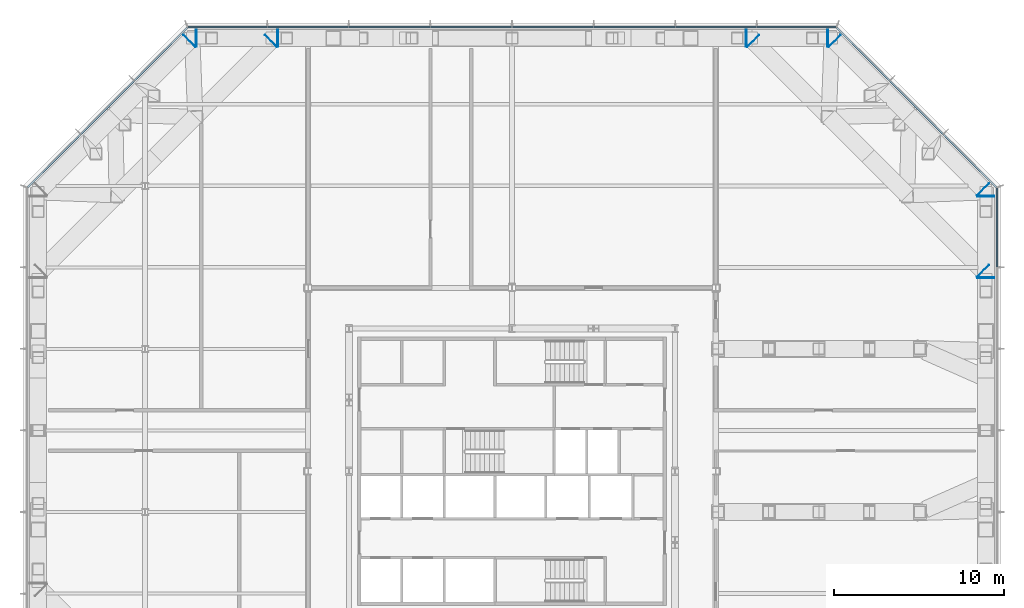
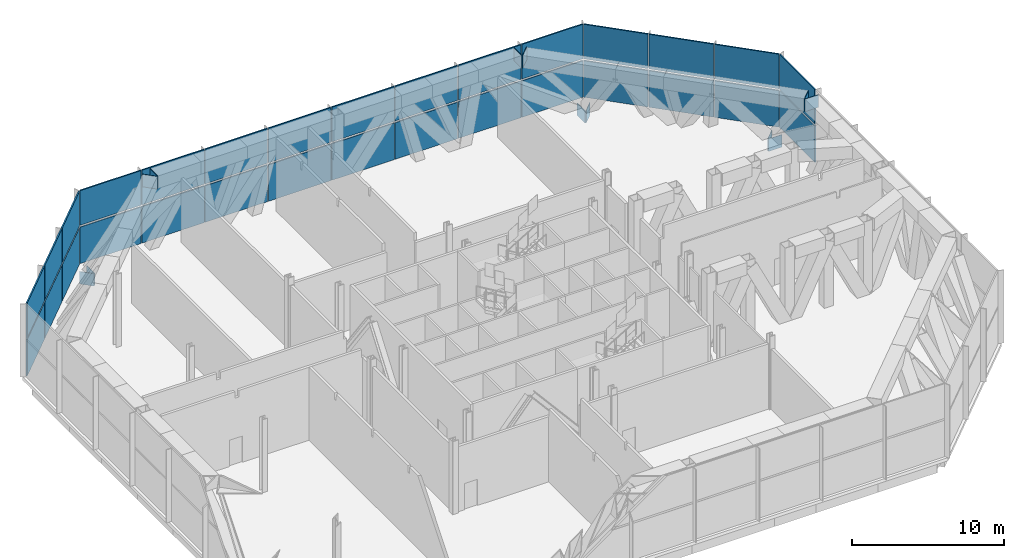
# One storey, part 12 of 17: 42 plates, 4 elements without a shape of their own.
"""IFC4 building model written with IfcOpenShell, lengths in metres."""

from ifc_helpers import new_model, si_unit, direction, frame, origin, origin_2d, place, context, subcontext, project, spatial, rectangle, extrude, material, layer, layer_set, material_profile, profile_set, type_object, element, aggregate, save


model = new_model("IFC4")

# Units and contexts
model_context = context("Model", 3, precision=1e-05, world=origin(), true_north=direction((0.0, 1.0)))
body_context = subcontext(model_context, "Body", "Model", "MODEL_VIEW")
ifc_project = project(units=[si_unit("LENGTHUNIT", "METRE"), si_unit("AREAUNIT", "SQUARE_METRE"), si_unit("VOLUMEUNIT", "CUBIC_METRE"), si_unit("PLANEANGLEUNIT", "RADIAN"), si_unit("MASSUNIT", "GRAM", prefix="KILO")], contexts=[model_context])

# Site, building, storey
site_placement = place(None, origin())
site = spatial("IfcSite", under=ifc_project, at=site_placement, CompositionType="ELEMENT")
building_placement = place(site_placement, origin())
building = spatial("IfcBuilding", under=site, at=building_placement, Name="Cairn Pilgrim Tower", CompositionType="ELEMENT")
storey_placement = place(building_placement, frame((0.0, 0.0, 119.39990234375)))
storey = spatial("IfcBuildingStorey", under=building, at=storey_placement, Name="L29", CompositionType="ELEMENT", Elevation=119.39990234375)

# Plates
ifc_material_1 = material(Name="Structural steel S460M", Category="steel")
ifc_material_profile = material_profile(ifc_material_1, rectangle(XDim=1.0, YDim=1.0, at=origin_2d()), Name="END PLATE BOX 1000x1000x60")
ifc_profile_set = profile_set([ifc_material_profile], Name="Structural steel S460M")
plate_type_1 = type_object("IfcPlateType", Name="END PLATE BOX 1000x1000x60", PredefinedType="SHEET", material=ifc_profile_set)
for number, where, z_axis, x_axis, name in (
    (1, (35.10009765625, 18.570068359375, -0.75), (0.0, 1.0, 0.0), (-1.0, 0.0, 0.0), "EP-BT29-E-BC6-B"),
    (2, (35.10009765625, 13.77001953125, 5.35009765625), (0.0, 1.0, 0.0), (-1.0, 0.0, 0.0), "EP-BT29-E-TC6-B"),
    (3, (34.918212890625, 19.009033203125, -0.75), (0.707106781187, -0.707106781187, 0.0), (0.707106781187, 0.707106781187, 0.0), "EP-BT29-NE-BC1-A"),
    (4, (34.918212890625, 14.208984375, 5.35009765625), (0.707106781187, -0.707106781187, 0.0), (0.707106781187, 0.707106781187, 0.0), "EP-BT29-NE-TC1-A"),
    (5, (26.208984375, 27.71826171875, -0.75), (-0.707106781187, 0.707106781187, 0.0), (-0.707106781187, -0.707106781187, 0.0), "EP-BT29-NE-BC4-B"),
    (6, (21.408935546875, 27.71826171875, 5.35009765625), (-0.707106781187, 0.707106781187, 0.0), (-0.707106781187, -0.707106781187, 0.0), "EP-BT29-NE-TC4-B"),
    (7, (25.77001953125, 27.89990234375, -0.75), (1.0, 0.0, 0.0), (0.0, 1.0, 0.0), "EP-BT29-N-BC1-A"),
):
    element("IfcPlate", number, at=place(storey_placement, frame(where, z_axis=z_axis, x_axis=x_axis)), inside=storey, type_object=plate_type_1, Name=name, PredefinedType="SHEET", context=body_context, shape_type="SweptSolid", body=[
        extrude(rectangle(XDim=1.0, YDim=1.0, at=origin_2d()), origin(), (0.0, 0.0, 1.0), 0.0400390625),
    ])
plate_1_placement = place(storey_placement, frame((20.97021484375, 27.89990234375, 5.35009765625), z_axis=(1.0, 0.0, 0.0), x_axis=(0.0, 1.0, 0.0)))
element("IfcPlate", 8, at=plate_1_placement, inside=storey, type_object=plate_type_1, Name="EP-BT29-N-TC1-A", PredefinedType="SHEET", context=body_context, shape_type="SweptSolid", body=[
    extrude(rectangle(XDim=1.0, YDim=1.0, at=origin_2d()), origin(), (0.0, 0.0, 1.0), 0.039794921875),
])
for number, where, z_axis, x_axis, name in (
    (9, (-11.3701171875, 27.89990234375, -0.75), (-1.0, 0.0, 0.0), (0.0, -1.0, 0.0), "EP-BT29-N-BC8-B"),
    (10, (-6.570068359375, 27.89990234375, 5.35009765625), (-1.0, 0.0, 0.0), (0.0, -1.0, 0.0), "EP-BT29-N-TC8-B"),
    (11, (-11.80908203125, 27.71826171875, -0.75), (0.707106781187, 0.707106781187, 0.0), (-0.707106781187, 0.707106781187, 0.0), "EP-BT29-NW-BC1-A"),
    (12, (-7.009033203125, 27.71826171875, 5.35009765625), (0.707106781187, 0.707106781187, 0.0), (-0.707106781187, 0.707106781187, 0.0), "EP-BT29-NW-TC1-A"),
):
    element("IfcPlate", number, at=place(storey_placement, frame(where, z_axis=z_axis, x_axis=x_axis)), inside=storey, type_object=plate_type_1, Name=name, PredefinedType="SHEET", context=body_context, shape_type="SweptSolid", body=[
        extrude(rectangle(XDim=1.0, YDim=1.0, at=origin_2d()), origin(), (0.0, 0.0, 1.0), 0.0400390625),
    ])

# Curtain wall, plates
ifc_material_2 = material(Name="Aluminium alloy 6063-T6 bronze anodised with Bronze tinted laminated low-E glass 8+16+8.8", Category="aluminium")
curtain_wall_type = type_object("IfcCurtainWallType", Name="PLANT LOUVRE CURTAIN WALL", PredefinedType="NOTDEFINED", material=ifc_material_2)
curtain_wall_1_placement = place(storey_placement, origin())
curtain_wall_1 = element("IfcCurtainWall", 13, at=curtain_wall_1_placement, inside=storey, type_object=curtain_wall_type, Name="Plant Louvre Curtain Wall NE", PredefinedType="NOTDEFINED")
ifc_material_3 = material(Name="Bronze anodised aluminium louvre blades", Category="aluminium")
ifc_layer_1 = layer(ifc_material_3, 0.10009765625)
ifc_layer_set_1 = layer_set([ifc_layer_1], Name="LOUVRE PANEL 4386x2775")
plate_type_2 = type_object("IfcPlateType", Name="LOUVRE PANEL 4386x2775", PredefinedType="CURTAIN_PANEL", material=ifc_layer_set_1)
plate_2_placement = place(storey_placement, frame((34.1708984375, 20.675537109375, 3.0751953125), z_axis=(0.0, 0.0, 1.0), x_axis=(-0.707106781187, 0.707106781187, 0.0)))
plate_2 = element("IfcPlate", 14, at=plate_2_placement, type_object=plate_type_2, Name="Louvre Panel NE1-2", PredefinedType="CURTAIN_PANEL", context=body_context, shape_type="SweptSolid", body=[
    extrude(rectangle(XDim=4.386474609375, YDim=0.10009765625, at=origin_2d()), origin(), (0.0, 0.0, 1.0), 2.77490234375),
])
plate_3_placement = place(storey_placement, frame((27.87548828125, 26.970947265625, 3.0751953125), z_axis=(0.0, 0.0, 1.0), x_axis=(-0.707106781187, 0.707106781187, 0.0)))
plate_3 = element("IfcPlate", 15, at=plate_3_placement, type_object=plate_type_2, Name="Louvre Panel NE3-2", PredefinedType="CURTAIN_PANEL", context=body_context, shape_type="SweptSolid", body=[
    extrude(rectangle(XDim=4.386474609375, YDim=0.10009765625, at=origin_2d()), origin(), (0.0, 0.0, 1.0), 2.77490234375),
])

curtain_wall_2_placement = place(storey_placement, origin())
curtain_wall_2 = element("IfcCurtainWall", 16, at=curtain_wall_2_placement, inside=storey, type_object=curtain_wall_type, Name="Plant Louvre Curtain Wall NW", PredefinedType="NOTDEFINED")
plate_4_placement = place(storey_placement, frame((-13.4755859375, 26.970947265625, 3.0751953125), z_axis=(0.0, 0.0, 1.0), x_axis=(-0.707106781187, -0.707106781187, 0.0)))
plate_4 = element("IfcPlate", 17, at=plate_4_placement, type_object=plate_type_2, Name="Louvre Panel NW1-2", PredefinedType="CURTAIN_PANEL", context=body_context, shape_type="SweptSolid", body=[
    extrude(rectangle(XDim=4.386474609375, YDim=0.10009765625, at=origin_2d()), origin(), (0.0, 0.0, 1.0), 2.77490234375),
])
plate_5_placement = place(storey_placement, frame((-19.770751953125, 20.675537109375, 3.0751953125), z_axis=(0.0, 0.0, 1.0), x_axis=(-0.707106781187, -0.707106781187, 0.0)))
plate_5 = element("IfcPlate", 18, at=plate_5_placement, type_object=plate_type_2, Name="Louvre Panel NW3-2", PredefinedType="CURTAIN_PANEL", context=body_context, shape_type="SweptSolid", body=[
    extrude(rectangle(XDim=4.386474609375, YDim=0.10009765625, at=origin_2d()), origin(), (0.0, 0.0, 1.0), 2.77490234375),
])

# Plate
ifc_layer_2 = layer(ifc_material_3, 0.10009765625)
ifc_layer_set_2 = layer_set([ifc_layer_2], Name="LOUVRE PANEL 4386x2925")
plate_type_3 = type_object("IfcPlateType", Name="LOUVRE PANEL 4386x2925", PredefinedType="CURTAIN_PANEL", material=ifc_layer_set_2)
plate_6_placement = place(storey_placement, frame((34.1708984375, 20.675537109375, 0.0), z_axis=(0.0, 0.0, 1.0), x_axis=(-0.707106781187, 0.707106781187, 0.0)))
plate_6 = element("IfcPlate", 19, at=plate_6_placement, type_object=plate_type_3, Name="Louvre Panel NE1-1", PredefinedType="CURTAIN_PANEL", context=body_context, shape_type="SweptSolid", body=[
    extrude(rectangle(XDim=4.386474609375, YDim=0.10009765625, at=origin_2d()), origin(), (0.0, 0.0, 1.0), 2.925048828125),
])

plate_7_placement = place(storey_placement, frame((27.87548828125, 26.970947265625, 0.0), z_axis=(0.0, 0.0, 1.0), x_axis=(-0.707106781187, 0.707106781187, 0.0)))
plate_7 = element("IfcPlate", 20, at=plate_7_placement, type_object=plate_type_3, Name="Louvre Panel NE3-1", PredefinedType="CURTAIN_PANEL", context=body_context, shape_type="SweptSolid", body=[
    extrude(rectangle(XDim=4.386474609375, YDim=0.10009765625, at=origin_2d()), origin(), (0.0, 0.0, 1.0), 2.925048828125),
])

plate_8_placement = place(storey_placement, frame((-13.4755859375, 26.970947265625, 0.0), z_axis=(0.0, 0.0, 1.0), x_axis=(-0.707106781187, -0.707106781187, 0.0)))
plate_8 = element("IfcPlate", 21, at=plate_8_placement, type_object=plate_type_3, Name="Louvre Panel NW1-1", PredefinedType="CURTAIN_PANEL", context=body_context, shape_type="SweptSolid", body=[
    extrude(rectangle(XDim=4.386474609375, YDim=0.10009765625, at=origin_2d()), origin(), (0.0, 0.0, 1.0), 2.925048828125),
])

plate_9_placement = place(storey_placement, frame((-19.770751953125, 20.675537109375, 0.0), z_axis=(0.0, 0.0, 1.0), x_axis=(-0.707106781187, -0.707106781187, 0.0)))
plate_9 = element("IfcPlate", 22, at=plate_9_placement, type_object=plate_type_3, Name="Louvre Panel NW3-1", PredefinedType="CURTAIN_PANEL", context=body_context, shape_type="SweptSolid", body=[
    extrude(rectangle(XDim=4.386474609375, YDim=0.10009765625, at=origin_2d()), origin(), (0.0, 0.0, 1.0), 2.925048828125),
])

ifc_layer_3 = layer(ifc_material_3, 0.10009765625)
ifc_layer_set_3 = layer_set([ifc_layer_3], Name="LOUVRE PANEL 4396x2775")
plate_type_4 = type_object("IfcPlateType", Name="LOUVRE PANEL 4396x2775", PredefinedType="CURTAIN_PANEL", material=ifc_layer_set_3)
plate_10_placement = place(storey_placement, frame((31.023193359375, 23.8232421875, 3.0751953125), z_axis=(0.0, 0.0, 1.0), x_axis=(-0.707106781187, 0.707106781187, 0.0)))
plate_10 = element("IfcPlate", 23, at=plate_10_placement, type_object=plate_type_4, Name="Louvre Panel NE2-2", PredefinedType="CURTAIN_PANEL", context=body_context, shape_type="SweptSolid", body=[
    extrude(rectangle(XDim=4.396484375, YDim=0.10009765625, at=origin_2d()), origin(), (0.0, 0.0, 1.0), 2.77490234375),
])

plate_11_placement = place(storey_placement, frame((-16.623291015625, 23.8232421875, 3.0751953125), z_axis=(0.0, 0.0, 1.0), x_axis=(-0.707106781187, -0.707106781187, 0.0)))
plate_11 = element("IfcPlate", 24, at=plate_11_placement, type_object=plate_type_4, Name="Louvre Panel NW2-2", PredefinedType="CURTAIN_PANEL", context=body_context, shape_type="SweptSolid", body=[
    extrude(rectangle(XDim=4.396484375, YDim=0.10009765625, at=origin_2d()), origin(), (0.0, 0.0, 1.0), 2.77490234375),
])

ifc_layer_4 = layer(ifc_material_3, 0.10009765625)
ifc_layer_set_4 = layer_set([ifc_layer_4], Name="LOUVRE PANEL 4396x2925")
plate_type_5 = type_object("IfcPlateType", Name="LOUVRE PANEL 4396x2925", PredefinedType="CURTAIN_PANEL", material=ifc_layer_set_4)
plate_12_placement = place(storey_placement, frame((31.023193359375, 23.8232421875, 0.0), z_axis=(0.0, 0.0, 1.0), x_axis=(-0.707106781187, 0.707106781187, 0.0)))
plate_12 = element("IfcPlate", 25, at=plate_12_placement, type_object=plate_type_5, Name="Louvre Panel NE2-1", PredefinedType="CURTAIN_PANEL", context=body_context, shape_type="SweptSolid", body=[
    extrude(rectangle(XDim=4.396484375, YDim=0.10009765625, at=origin_2d()), origin(), (0.0, 0.0, 1.0), 2.925048828125),
])

aggregate(curtain_wall_1, [plate_6, plate_2, plate_12, plate_10, plate_7, plate_3])

plate_13_placement = place(storey_placement, frame((-16.623291015625, 23.8232421875, 0.0), z_axis=(0.0, 0.0, 1.0), x_axis=(-0.707106781187, -0.707106781187, 0.0)))
plate_13 = element("IfcPlate", 26, at=plate_13_placement, type_object=plate_type_5, Name="Louvre Panel NW2-1", PredefinedType="CURTAIN_PANEL", context=body_context, shape_type="SweptSolid", body=[
    extrude(rectangle(XDim=4.396484375, YDim=0.10009765625, at=origin_2d()), origin(), (0.0, 0.0, 1.0), 2.925048828125),
])

aggregate(curtain_wall_2, [plate_8, plate_4, plate_13, plate_11, plate_9, plate_5])

# Curtain wall, plate
curtain_wall_3_placement = place(storey_placement, origin())
curtain_wall_3 = element("IfcCurtainWall", 27, at=curtain_wall_3_placement, inside=storey, type_object=curtain_wall_type, Name="Plant Louvre Curtain Wall E", PredefinedType="NOTDEFINED")
ifc_layer_5 = layer(ifc_material_3, 0.10009765625)
ifc_layer_set_5 = layer_set([ifc_layer_5], Name="LOUVRE PANEL 4626x2775")
plate_type_6 = type_object("IfcPlateType", Name="LOUVRE PANEL 4626x2775", PredefinedType="CURTAIN_PANEL", material=ifc_layer_set_5)
plate_14_placement = place(storey_placement, frame((35.75, 16.7431640625, 3.0751953125), z_axis=(0.0, 0.0, 1.0), x_axis=(0.0, 1.0, 0.0)))
plate_14 = element("IfcPlate", 28, at=plate_14_placement, type_object=plate_type_6, Name="Louvre Panel E6-2", PredefinedType="CURTAIN_PANEL", context=body_context, shape_type="SweptSolid", body=[
    extrude(rectangle(XDim=4.62646484375, YDim=0.10009765625, at=origin_2d()), origin(), (0.0, 0.0, 1.0), 2.77490234375),
])

# Curtain wall, plates
curtain_wall_4_placement = place(storey_placement, origin())
curtain_wall_4 = element("IfcCurtainWall", 29, at=curtain_wall_4_placement, inside=storey, type_object=curtain_wall_type, Name="Plant Louvre Curtain Wall N", PredefinedType="NOTDEFINED")
plate_15_placement = place(storey_placement, frame((23.943115234375, 28.550048828125, 3.0751953125), z_axis=(0.0, 0.0, 1.0), x_axis=(-1.0, 0.0, 0.0)))
plate_15 = element("IfcPlate", 30, at=plate_15_placement, type_object=plate_type_6, Name="Louvre Panel N1-2", PredefinedType="CURTAIN_PANEL", context=body_context, shape_type="SweptSolid", body=[
    extrude(rectangle(XDim=4.62646484375, YDim=0.10009765625, at=origin_2d()), origin(), (0.0, 0.0, 1.0), 2.77490234375),
])
plate_16_placement = place(storey_placement, frame((-9.543212890625, 28.550048828125, 3.0751953125), z_axis=(0.0, 0.0, 1.0), x_axis=(-1.0, 0.0, 0.0)))
plate_16 = element("IfcPlate", 31, at=plate_16_placement, type_object=plate_type_6, Name="Louvre Panel N8-2", PredefinedType="CURTAIN_PANEL", context=body_context, shape_type="SweptSolid", body=[
    extrude(rectangle(XDim=4.62646484375, YDim=0.10009765625, at=origin_2d()), origin(), (0.0, 0.0, 1.0), 2.77490234375),
])

# Plate
ifc_layer_6 = layer(ifc_material_3, 0.10009765625)
ifc_layer_set_6 = layer_set([ifc_layer_6], Name="LOUVRE PANEL 4626x2925")
plate_type_7 = type_object("IfcPlateType", Name="LOUVRE PANEL 4626x2925", PredefinedType="CURTAIN_PANEL", material=ifc_layer_set_6)
plate_17_placement = place(storey_placement, frame((35.75, 16.7431640625, 0.0), z_axis=(0.0, 0.0, 1.0), x_axis=(0.0, 1.0, 0.0)))
plate_17 = element("IfcPlate", 32, at=plate_17_placement, type_object=plate_type_7, Name="Louvre Panel E6-1", PredefinedType="CURTAIN_PANEL", context=body_context, shape_type="SweptSolid", body=[
    extrude(rectangle(XDim=4.62646484375, YDim=0.10009765625, at=origin_2d()), origin(), (0.0, 0.0, 1.0), 2.925048828125),
])

aggregate(curtain_wall_3, [plate_17, plate_14])

plate_18_placement = place(storey_placement, frame((23.943115234375, 28.550048828125, 0.0), z_axis=(0.0, 0.0, 1.0), x_axis=(-1.0, 0.0, 0.0)))
plate_18 = element("IfcPlate", 33, at=plate_18_placement, type_object=plate_type_7, Name="Louvre Panel N1-1", PredefinedType="CURTAIN_PANEL", context=body_context, shape_type="SweptSolid", body=[
    extrude(rectangle(XDim=4.62646484375, YDim=0.10009765625, at=origin_2d()), origin(), (0.0, 0.0, 1.0), 2.925048828125),
])

plate_19_placement = place(storey_placement, frame((-9.543212890625, 28.550048828125, 0.0), z_axis=(0.0, 0.0, 1.0), x_axis=(-1.0, 0.0, 0.0)))
plate_19 = element("IfcPlate", 34, at=plate_19_placement, type_object=plate_type_7, Name="Louvre Panel N8-1", PredefinedType="CURTAIN_PANEL", context=body_context, shape_type="SweptSolid", body=[
    extrude(rectangle(XDim=4.62646484375, YDim=0.10009765625, at=origin_2d()), origin(), (0.0, 0.0, 1.0), 2.925048828125),
])

ifc_layer_7 = layer(ifc_material_3, 0.10009765625)
ifc_layer_set_7 = layer_set([ifc_layer_7], Name="LOUVRE PANEL 4740x2775")
plate_type_8 = type_object("IfcPlateType", Name="LOUVRE PANEL 4740x2775", PredefinedType="CURTAIN_PANEL", material=ifc_layer_set_7)
plate_20_placement = place(storey_placement, frame((19.199951171875, 28.550048828125, 3.0751953125), z_axis=(0.0, 0.0, 1.0), x_axis=(-1.0, 0.0, 0.0)))
plate_20 = element("IfcPlate", 35, at=plate_20_placement, type_object=plate_type_8, Name="Louvre Panel N2-2", PredefinedType="CURTAIN_PANEL", context=body_context, shape_type="SweptSolid", body=[
    extrude(rectangle(XDim=4.739990234375, YDim=0.10009765625, at=origin_2d()), origin(), (0.0, 0.0, 1.0), 2.77490234375),
])

plate_21_placement = place(storey_placement, frame((14.39990234375, 28.550048828125, 3.0751953125), z_axis=(0.0, 0.0, 1.0), x_axis=(-1.0, 0.0, 0.0)))
plate_21 = element("IfcPlate", 36, at=plate_21_placement, type_object=plate_type_8, Name="Louvre Panel N3-2", PredefinedType="CURTAIN_PANEL", context=body_context, shape_type="SweptSolid", body=[
    extrude(rectangle(XDim=4.739990234375, YDim=0.10009765625, at=origin_2d()), origin(), (0.0, 0.0, 1.0), 2.77490234375),
])

plate_22_placement = place(storey_placement, frame((9.60009765625, 28.550048828125, 3.0751953125), z_axis=(0.0, 0.0, 1.0), x_axis=(-1.0, 0.0, 0.0)))
plate_22 = element("IfcPlate", 37, at=plate_22_placement, type_object=plate_type_8, Name="Louvre Panel N4-2", PredefinedType="CURTAIN_PANEL", context=body_context, shape_type="SweptSolid", body=[
    extrude(rectangle(XDim=4.739990234375, YDim=0.10009765625, at=origin_2d()), origin(), (0.0, 0.0, 1.0), 2.77490234375),
])

plate_23_placement = place(storey_placement, frame((4.800048828125, 28.550048828125, 3.0751953125), z_axis=(0.0, 0.0, 1.0), x_axis=(-1.0, 0.0, 0.0)))
plate_23 = element("IfcPlate", 38, at=plate_23_placement, type_object=plate_type_8, Name="Louvre Panel N5-2", PredefinedType="CURTAIN_PANEL", context=body_context, shape_type="SweptSolid", body=[
    extrude(rectangle(XDim=4.739990234375, YDim=0.10009765625, at=origin_2d()), origin(), (0.0, 0.0, 1.0), 2.77490234375),
])

plate_24_placement = place(storey_placement, frame((0.0, 28.550048828125, 3.0751953125), z_axis=(0.0, 0.0, 1.0), x_axis=(-1.0, 0.0, 0.0)))
plate_24 = element("IfcPlate", 39, at=plate_24_placement, type_object=plate_type_8, Name="Louvre Panel N6-2", PredefinedType="CURTAIN_PANEL", context=body_context, shape_type="SweptSolid", body=[
    extrude(rectangle(XDim=4.739990234375, YDim=0.10009765625, at=origin_2d()), origin(), (0.0, 0.0, 1.0), 2.77490234375),
])

plate_25_placement = place(storey_placement, frame((-4.800048828125, 28.550048828125, 3.0751953125), z_axis=(0.0, 0.0, 1.0), x_axis=(-1.0, 0.0, 0.0)))
plate_25 = element("IfcPlate", 40, at=plate_25_placement, type_object=plate_type_8, Name="Louvre Panel N7-2", PredefinedType="CURTAIN_PANEL", context=body_context, shape_type="SweptSolid", body=[
    extrude(rectangle(XDim=4.739990234375, YDim=0.10009765625, at=origin_2d()), origin(), (0.0, 0.0, 1.0), 2.77490234375),
])

ifc_layer_8 = layer(ifc_material_3, 0.10009765625)
ifc_layer_set_8 = layer_set([ifc_layer_8], Name="LOUVRE PANEL 4740x2925")
plate_type_9 = type_object("IfcPlateType", Name="LOUVRE PANEL 4740x2925", PredefinedType="CURTAIN_PANEL", material=ifc_layer_set_8)
plate_26_placement = place(storey_placement, frame((19.199951171875, 28.550048828125, 0.0), z_axis=(0.0, 0.0, 1.0), x_axis=(-1.0, 0.0, 0.0)))
plate_26 = element("IfcPlate", 41, at=plate_26_placement, type_object=plate_type_9, Name="Louvre Panel N2-1", PredefinedType="CURTAIN_PANEL", context=body_context, shape_type="SweptSolid", body=[
    extrude(rectangle(XDim=4.739990234375, YDim=0.10009765625, at=origin_2d()), origin(), (0.0, 0.0, 1.0), 2.925048828125),
])

plate_27_placement = place(storey_placement, frame((14.39990234375, 28.550048828125, 0.0), z_axis=(0.0, 0.0, 1.0), x_axis=(-1.0, 0.0, 0.0)))
plate_27 = element("IfcPlate", 42, at=plate_27_placement, type_object=plate_type_9, Name="Louvre Panel N3-1", PredefinedType="CURTAIN_PANEL", context=body_context, shape_type="SweptSolid", body=[
    extrude(rectangle(XDim=4.739990234375, YDim=0.10009765625, at=origin_2d()), origin(), (0.0, 0.0, 1.0), 2.925048828125),
])

plate_28_placement = place(storey_placement, frame((9.60009765625, 28.550048828125, 0.0), z_axis=(0.0, 0.0, 1.0), x_axis=(-1.0, 0.0, 0.0)))
plate_28 = element("IfcPlate", 43, at=plate_28_placement, type_object=plate_type_9, Name="Louvre Panel N4-1", PredefinedType="CURTAIN_PANEL", context=body_context, shape_type="SweptSolid", body=[
    extrude(rectangle(XDim=4.739990234375, YDim=0.10009765625, at=origin_2d()), origin(), (0.0, 0.0, 1.0), 2.925048828125),
])

plate_29_placement = place(storey_placement, frame((4.800048828125, 28.550048828125, 0.0), z_axis=(0.0, 0.0, 1.0), x_axis=(-1.0, 0.0, 0.0)))
plate_29 = element("IfcPlate", 44, at=plate_29_placement, type_object=plate_type_9, Name="Louvre Panel N5-1", PredefinedType="CURTAIN_PANEL", context=body_context, shape_type="SweptSolid", body=[
    extrude(rectangle(XDim=4.739990234375, YDim=0.10009765625, at=origin_2d()), origin(), (0.0, 0.0, 1.0), 2.925048828125),
])

plate_30_placement = place(storey_placement, frame((0.0, 28.550048828125, 0.0), z_axis=(0.0, 0.0, 1.0), x_axis=(-1.0, 0.0, 0.0)))
plate_30 = element("IfcPlate", 45, at=plate_30_placement, type_object=plate_type_9, Name="Louvre Panel N6-1", PredefinedType="CURTAIN_PANEL", context=body_context, shape_type="SweptSolid", body=[
    extrude(rectangle(XDim=4.739990234375, YDim=0.10009765625, at=origin_2d()), origin(), (0.0, 0.0, 1.0), 2.925048828125),
])

plate_31_placement = place(storey_placement, frame((-4.800048828125, 28.550048828125, 0.0), z_axis=(0.0, 0.0, 1.0), x_axis=(-1.0, 0.0, 0.0)))
plate_31 = element("IfcPlate", 46, at=plate_31_placement, type_object=plate_type_9, Name="Louvre Panel N7-1", PredefinedType="CURTAIN_PANEL", context=body_context, shape_type="SweptSolid", body=[
    extrude(rectangle(XDim=4.739990234375, YDim=0.10009765625, at=origin_2d()), origin(), (0.0, 0.0, 1.0), 2.925048828125),
])

aggregate(curtain_wall_4, [plate_18, plate_15, plate_26, plate_20, plate_27, plate_21, plate_28, plate_22, plate_29, plate_23, plate_30, plate_24, plate_31, plate_25, plate_19, plate_16])

save(model, "model.ifc")
